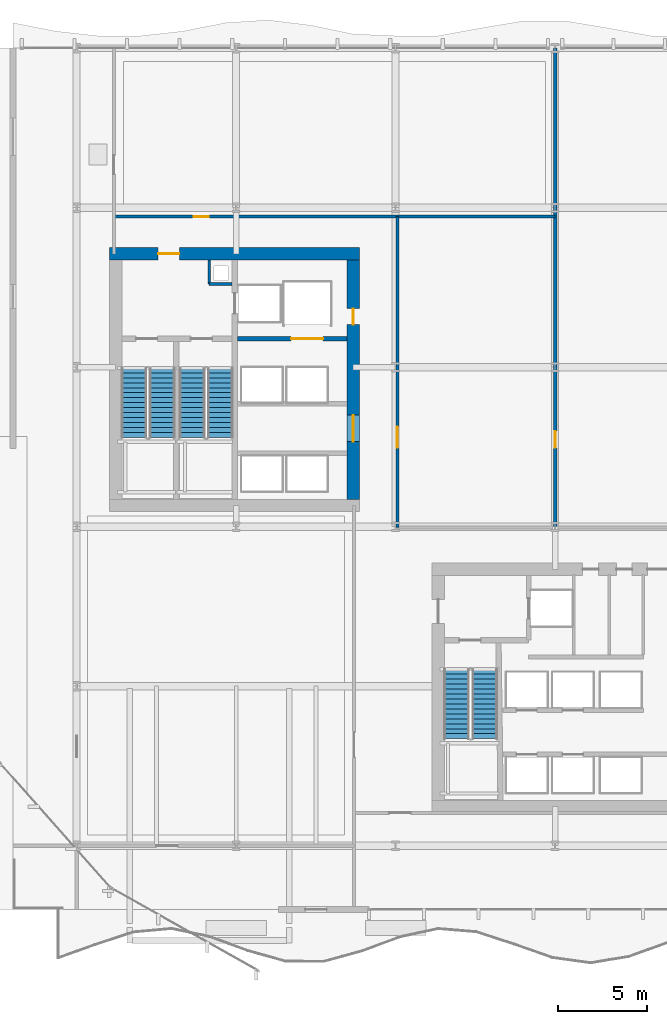
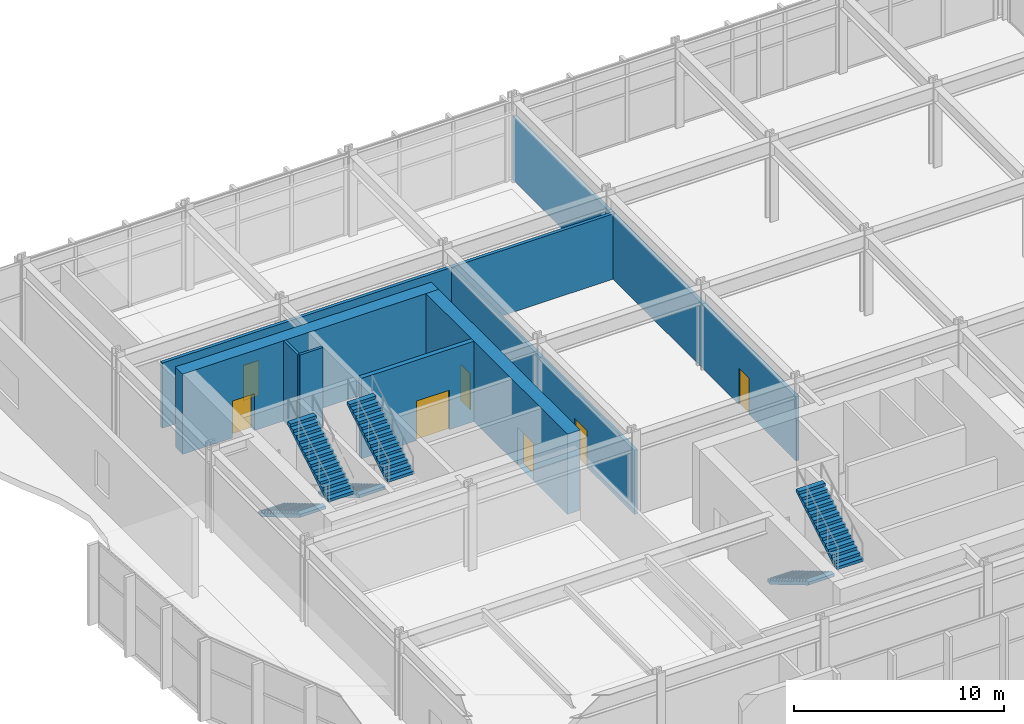
# One storey, part 21 of 28: 8 walls, 7 doors, 6 stair flights, 7 openings, 3 elements without a shape of their own.
"""IFC4 building model written with IfcOpenShell, lengths in metres."""

from ifc_helpers import new_model, si_unit, direction, frame, frame_2d, origin, place, context, subcontext, project, spatial, polyline, rectangle, outline, extrude, material, layer, layer_set, type_object, element, fill, aggregate, save


model = new_model("IFC4")

# Units and contexts
model_context = context("Model", 3, precision=1e-05, world=origin(), true_north=direction((0.0, 1.0)))
body_context = subcontext(model_context, "Body", "Model", "MODEL_VIEW")
ifc_project = project(units=[si_unit("LENGTHUNIT", "METRE"), si_unit("AREAUNIT", "SQUARE_METRE"), si_unit("VOLUMEUNIT", "CUBIC_METRE"), si_unit("PLANEANGLEUNIT", "RADIAN"), si_unit("MASSUNIT", "GRAM", prefix="KILO")], contexts=[model_context])

# Site, building, storey
site_placement = place(None, origin())
site = spatial("IfcSite", under=ifc_project, at=site_placement, CompositionType="ELEMENT")
building_placement = place(site_placement, origin())
building = spatial("IfcBuilding", under=site, at=building_placement, Name="Solvaryn Broadcast Tower", CompositionType="ELEMENT")
storey_placement = place(building_placement, frame((0.0, 0.0, 16.199951171875)))
storey = spatial("IfcBuildingStorey", under=building, at=storey_placement, Name="L03", CompositionType="ELEMENT", Elevation=16.199951171875)

# Wall, opening, door
ifc_material_1 = material(Name="Concrete f'c 70 MPa", Category="concrete")
ifc_layer_1 = layer(ifc_material_1, 0.699951171875)
ifc_layer_set_1 = layer_set([ifc_layer_1], Name="CW-SHEAR-700")
wall_type_1 = type_object("IfcWallType", Name="CW-SHEAR-700", PredefinedType="SHEAR", material=ifc_layer_set_1)
wall_1_placement = place(storey_placement, frame((24.949951171875, 42.39990234375, 0.0), z_axis=(0.0, 0.0, 1.0), x_axis=(-1.0, 0.0, 0.0)))
wall_1 = element("IfcWall", 1, at=wall_1_placement, inside=storey, type_object=wall_type_1, Name="L03 West Core North Shear Wall", PredefinedType="SHEAR", context=body_context, shape_type="SweptSolid", body=[
    extrude(rectangle(XDim=14.099853515625, YDim=0.699951171875, at=frame_2d((7.0498046875, 0.0))), origin(), (0.0, 0.0, 1.0), 4.679931640625),
])
opening_1_placement = place(wall_1_placement, frame((10.14990234375, 0.0, 0.0)))
opening_1 = element("IfcOpeningElement", 2, at=opening_1_placement, cuts=wall_1, Name="Opening FD90A", PredefinedType="OPENING", context=body_context, shape_type="SweptSolid", body=[
    extrude(rectangle(XDim=1.199951171875, YDim=2.14990234375, at=frame_2d((0.60009765625, 1.074951171875))), frame((0.0, 0.360107421875, 0.0), z_axis=(0.0, -1.0, 0.0), x_axis=(1.0, 0.0, 0.0)), (0.0, 0.0, 1.0), 0.719970703125),
])
ifc_material_2 = material(Name="Flush Acoustic Steel and Timber Door Assembly", Category="steel")
door_type_1 = type_object("IfcDoorType", Name="FD90-STAIR-1200X2150", OperationType="NOTDEFINED", PredefinedType="DOOR", material=ifc_material_2)
door_1_placement = place(opening_1_placement, origin())
door_1 = element("IfcDoor", 3, at=door_1_placement, inside=storey, type_object=door_type_1, Name="L03 West FSAE Lobby Corridor Door", OperationType="SINGLE_SWING_LEFT", OverallHeight=2.14990234375, OverallWidth=1.199951171875, PredefinedType="DOOR", context=body_context, shape_type="SweptSolid", body=[
    extrude(rectangle(XDim=1.199951171875, YDim=2.14990234375, at=frame_2d((0.60009765625, 1.074951171875))), frame((0.0, 0.02490234375, 0.0), z_axis=(0.0, -1.0, 0.0), x_axis=(1.0, 0.0, 0.0)), (0.0, 0.0, 1.0), 0.050048828125),
])
fill(opening_1, door_1)

# Wall, openings, doors
wall_2_placement = place(storey_placement, frame((24.60009765625, 28.550048828125, 0.0), z_axis=(0.0, 0.0, 1.0), x_axis=(0.0, 1.0, 0.0)))
wall_2 = element("IfcWall", 4, at=wall_2_placement, inside=storey, type_object=wall_type_1, Name="L03 West Core East Shear Wall", PredefinedType="SHEAR", context=body_context, shape_type="SweptSolid", body=[
    extrude(rectangle(XDim=13.5, YDim=0.699951171875, at=frame_2d((6.75, 0.0))), origin(), (0.0, 0.0, 1.0), 4.679931640625),
])
opening_2_placement = place(wall_2_placement, frame((3.25, 0.0, 0.0)))
opening_2 = element("IfcOpeningElement", 5, at=opening_2_placement, cuts=wall_2, Name="Opening FD60A", PredefinedType="OPENING", context=body_context, shape_type="SweptSolid", body=[
    extrude(rectangle(XDim=1.5, YDim=2.199951171875, at=frame_2d((0.75, 1.10009765625))), frame((0.0, 0.360107421875, 0.0), z_axis=(0.0, -1.0, 0.0), x_axis=(1.0, 0.0, 0.0)), (0.0, 0.0, 1.0), 0.719970703125),
])
opening_3_placement = place(wall_2_placement, frame((9.85009765625, 0.0, 0.0)))
opening_3 = element("IfcOpeningElement", 6, at=opening_3_placement, cuts=wall_2, Name="Opening FD60C", PredefinedType="OPENING", context=body_context, shape_type="SweptSolid", body=[
    extrude(rectangle(XDim=0.89990234375, YDim=2.10009765625, at=frame_2d((0.449951171875, 1.050048828125))), frame((0.0, 0.360107421875, 0.0), z_axis=(0.0, -1.0, 0.0), x_axis=(1.0, 0.0, 0.0)), (0.0, 0.0, 1.0), 0.719970703125),
])
ifc_material_3 = material(Name="Flush Acoustic Steel and Timber Door Assembly", Category="steel")
door_type_2 = type_object("IfcDoorType", Name="FD60-CORR-1500X2200", OperationType="NOTDEFINED", PredefinedType="DOOR", material=ifc_material_3)
door_2_placement = place(opening_2_placement, origin())
door_2 = element("IfcDoor", 7, at=door_2_placement, inside=storey, type_object=door_type_2, Name="L03 West Elevator Lobby Corridor Door", OperationType="DOUBLE_DOOR_SINGLE_SWING", OverallHeight=2.199951171875, OverallWidth=1.5, PredefinedType="DOOR", context=body_context, shape_type="SweptSolid", body=[
    extrude(rectangle(XDim=1.5, YDim=2.199951171875, at=frame_2d((0.75, 1.10009765625))), frame((0.0, 0.02490234375, 0.0), z_axis=(0.0, -1.0, 0.0), x_axis=(1.0, 0.0, 0.0)), (0.0, 0.0, 1.0), 0.050048828125),
])
fill(opening_2, door_2)
ifc_material_4 = material(Name="Flush Acoustic Steel and Timber Door Assembly", Category="steel")
door_type_3 = type_object("IfcDoorType", Name="FD60-SERV-900X2100", OperationType="NOTDEFINED", PredefinedType="DOOR", material=ifc_material_4)
door_3_placement = place(opening_3_placement, origin())
door_3 = element("IfcDoor", 8, at=door_3_placement, inside=storey, type_object=door_type_3, Name="L03 West Core Service Door 1", OperationType="SINGLE_SWING_LEFT", OverallHeight=2.10009765625, OverallWidth=0.89990234375, PredefinedType="DOOR", context=body_context, shape_type="SweptSolid", body=[
    extrude(rectangle(XDim=0.89990234375, YDim=2.10009765625, at=frame_2d((0.449951171875, 1.050048828125))), frame((0.0, 0.02490234375, 0.0), z_axis=(0.0, -1.0, 0.0), x_axis=(1.0, 0.0, 0.0)), (0.0, 0.0, 1.0), 0.050048828125),
])
fill(opening_3, door_3)

# Walls
ifc_material_5 = material(Name="Metal-Stud Service Core Partition")
ifc_layer_2 = layer(ifc_material_5, 0.14990234375)
ifc_layer_set_2 = layer_set([ifc_layer_2], Name="IW-PART-150")
wall_type_2 = type_object("IfcWallType", Name="IW-PART-150", PredefinedType="PARTITIONING", material=ifc_layer_set_2)
wall_3_placement = place(storey_placement, frame((16.47998046875, 40.699951171875, 0.0), z_axis=(0.0, 0.0, 1.0), x_axis=(1.0, 0.0, 0.0)))
element("IfcWall", 9, at=wall_3_placement, inside=storey, type_object=wall_type_2, Name="L03 West Core Riser Shaft South Wall", PredefinedType="PARTITIONING", context=body_context, shape_type="SweptSolid", body=[
    extrude(rectangle(XDim=1.2900390625, YDim=0.14990234375, at=frame_2d((0.64501953125, 0.0))), origin(), (0.0, 0.0, 1.0), 4.679931640625),
])
wall_4_placement = place(storey_placement, frame((16.47998046875, 40.699951171875, 0.0), z_axis=(0.0, 0.0, 1.0), x_axis=(0.0, 1.0, 0.0)))
element("IfcWall", 10, at=wall_4_placement, inside=storey, type_object=wall_type_2, Name="L03 West Core Riser Shaft West Wall", PredefinedType="PARTITIONING", context=body_context, shape_type="SweptSolid", body=[
    extrude(rectangle(XDim=1.35009765625, YDim=0.14990234375, at=frame_2d((0.675048828125, 0.0))), origin(), (0.0, 0.0, 1.0), 4.679931640625),
])

# Wall, opening, door
ifc_material_6 = material(Name="Acoustic Metal-Stud Gypsum Partition")
ifc_layer_3 = layer(ifc_material_6, 0.179931640625)
ifc_layer_set_3 = layer_set([ifc_layer_3], Name="IW-PART-180")
wall_type_3 = type_object("IfcWallType", Name="IW-PART-180", PredefinedType="PARTITIONING", material=ifc_layer_set_3)
wall_5_placement = place(storey_placement, frame((27.10009765625, 26.949951171875, 0.0), z_axis=(0.0, 0.0, 1.0), x_axis=(0.0, 1.0, 0.0)))
wall_5 = element("IfcWall", 11, at=wall_5_placement, inside=storey, type_object=wall_type_3, Name="L03 Interior Partition IW-L03-PW6", PredefinedType="PARTITIONING", context=body_context, shape_type="SweptSolid", body=[
    extrude(rectangle(XDim=17.550048828125, YDim=0.179931640625, at=frame_2d((8.77490234375, 0.0))), origin(), (0.0, 0.0, 1.0), 3.733154296875),
])
opening_4_placement = place(wall_5_placement, frame((4.5, 0.0, 0.0)))
opening_4 = element("IfcOpeningElement", 12, at=opening_4_placement, cuts=wall_5, Name="Opening ID04", PredefinedType="OPENING", context=body_context, shape_type="SweptSolid", body=[
    extrude(rectangle(XDim=1.199951171875, YDim=2.14990234375, at=frame_2d((0.60009765625, 1.074951171875))), frame((0.0, 0.099853515625, 0.0), z_axis=(0.0, -1.0, 0.0), x_axis=(1.0, 0.0, 0.0)), (0.0, 0.0, 1.0), 0.199951171875),
])
ifc_material_7 = material(Name="Flush Acoustic Steel and Timber Door Assembly", Category="steel")
door_type_4 = type_object("IfcDoorType", Name="ID-04-1200X2150", OperationType="NOTDEFINED", PredefinedType="DOOR", material=ifc_material_7)
door_4_placement = place(opening_4_placement, origin())
door_4 = element("IfcDoor", 13, at=door_4_placement, inside=storey, type_object=door_type_4, Name="L03 Door DR-L03-PD4", OperationType="SINGLE_SWING_RIGHT", OverallHeight=2.14990234375, OverallWidth=1.199951171875, PredefinedType="DOOR", context=body_context, shape_type="SweptSolid", body=[
    extrude(rectangle(XDim=1.199951171875, YDim=2.14990234375, at=frame_2d((0.60009765625, 1.074951171875))), frame((0.0, 0.02490234375, 0.0), z_axis=(0.0, -1.0, 0.0), x_axis=(1.0, 0.0, 0.0)), (0.0, 0.0, 1.0), 0.050048828125),
])
fill(opening_4, door_4)

wall_6_placement = place(storey_placement, frame((11.10009765625, 44.5, 0.0), z_axis=(0.0, 0.0, 1.0), x_axis=(1.0, 0.0, 0.0)))
wall_6 = element("IfcWall", 14, at=wall_6_placement, inside=storey, type_object=wall_type_3, Name="L03 Interior Partition IW-L03-PW7", PredefinedType="PARTITIONING", context=body_context, shape_type="SweptSolid", body=[
    extrude(rectangle(XDim=24.89990234375, YDim=0.179931640625, at=frame_2d((12.449951171875, 0.0))), origin(), (0.0, 0.0, 1.0), 3.804931640625),
])
opening_5_placement = place(wall_6_placement, frame((4.5, 0.0, 0.0)))
opening_5 = element("IfcOpeningElement", 15, at=opening_5_placement, cuts=wall_6, Name="Opening ID07", PredefinedType="OPENING", context=body_context, shape_type="SweptSolid", body=[
    extrude(rectangle(XDim=0.860107421875, YDim=2.050048828125, at=frame_2d((0.43017578125, 1.02490234375))), frame((0.0, 0.099853515625, 0.0), z_axis=(0.0, -1.0, 0.0), x_axis=(1.0, 0.0, 0.0)), (0.0, 0.0, 1.0), 0.199951171875),
])
ifc_material_8 = material(Name="Flush Acoustic Steel and Timber Door Assembly", Category="steel")
door_type_5 = type_object("IfcDoorType", Name="ID-07-860X2050", OperationType="NOTDEFINED", PredefinedType="DOOR", material=ifc_material_8)
door_5_placement = place(opening_5_placement, origin())
door_5 = element("IfcDoor", 16, at=door_5_placement, inside=storey, type_object=door_type_5, Name="L03 Door DR-L03-PD5", OperationType="SINGLE_SWING_LEFT", OverallHeight=2.050048828125, OverallWidth=0.860107421875, PredefinedType="DOOR", context=body_context, shape_type="SweptSolid", body=[
    extrude(rectangle(XDim=0.860107421875, YDim=2.050048828125, at=frame_2d((0.43017578125, 1.02490234375))), frame((0.0, 0.02490234375, 0.0), z_axis=(0.0, -1.0, 0.0), x_axis=(1.0, 0.0, 0.0)), (0.0, 0.0, 1.0), 0.050048828125),
])
fill(opening_5, door_5)

wall_7_placement = place(storey_placement, frame((36.0, 26.949951171875, 0.0), z_axis=(0.0, 0.0, 1.0), x_axis=(0.0, 1.0, 0.0)))
wall_7 = element("IfcWall", 17, at=wall_7_placement, inside=storey, type_object=wall_type_3, Name="L03 Interior Partition IW-L03-PW8", PredefinedType="PARTITIONING", context=body_context, shape_type="SweptSolid", body=[
    extrude(rectangle(XDim=27.050048828125, YDim=0.179931640625, at=frame_2d((13.52490234375, 0.0))), origin(), (0.0, 0.0, 1.0), 3.733154296875),
])
opening_6_placement = place(wall_7_placement, frame((4.5, 0.0, 0.0)))
opening_6 = element("IfcOpeningElement", 18, at=opening_6_placement, cuts=wall_7, Name="Opening ID01", PredefinedType="OPENING", context=body_context, shape_type="SweptSolid", body=[
    extrude(rectangle(XDim=0.949951171875, YDim=2.10009765625, at=frame_2d((0.47509765625, 1.050048828125))), frame((0.0, 0.099853515625, 0.0), z_axis=(0.0, -1.0, 0.0), x_axis=(1.0, 0.0, 0.0)), (0.0, 0.0, 1.0), 0.199951171875),
])
ifc_material_9 = material(Name="Flush Acoustic Steel and Timber Door Assembly", Category="steel")
door_type_6 = type_object("IfcDoorType", Name="ID-01-950X2100", OperationType="NOTDEFINED", PredefinedType="DOOR", material=ifc_material_9)
door_6_placement = place(opening_6_placement, origin())
door_6 = element("IfcDoor", 19, at=door_6_placement, inside=storey, type_object=door_type_6, Name="L03 Door DR-L03-PD6", OperationType="SINGLE_SWING_RIGHT", OverallHeight=2.10009765625, OverallWidth=0.949951171875, PredefinedType="DOOR", context=body_context, shape_type="SweptSolid", body=[
    extrude(rectangle(XDim=0.949951171875, YDim=2.10009765625, at=frame_2d((0.47509765625, 1.050048828125))), frame((0.0, 0.02490234375, 0.0), z_axis=(0.0, -1.0, 0.0), x_axis=(1.0, 0.0, 0.0)), (0.0, 0.0, 1.0), 0.050048828125),
])
fill(opening_6, door_6)

ifc_material_10 = material(Name="Concrete f'c 60 MPa", Category="concrete")
ifc_layer_4 = layer(ifc_material_10, 0.25)
ifc_layer_set_4 = layer_set([ifc_layer_4], Name="SW-SHAFT-250")
wall_type_4 = type_object("IfcWallType", Name="SW-SHAFT-250", PredefinedType="PARTITIONING", material=ifc_layer_set_4)
wall_8_placement = place(storey_placement, frame((18.070068359375, 37.60009765625, 0.0), z_axis=(0.0, 0.0, 1.0), x_axis=(1.0, 0.0, 0.0)))
wall_8 = element("IfcWall", 20, at=wall_8_placement, inside=storey, type_object=wall_type_4, Name="L03 West Core FSAE Hoistway Front Wall", PredefinedType="PARTITIONING", context=body_context, shape_type="SweptSolid", body=[
    extrude(rectangle(XDim=6.179931640625, YDim=0.25, at=frame_2d((3.08984375, 0.0))), origin(), (0.0, 0.0, 1.0), 4.679931640625),
])
opening_7_placement = place(wall_8_placement, frame((3.030029296875, 0.0, 0.0)))
opening_7 = element("IfcOpeningElement", 21, at=opening_7_placement, cuts=wall_8, Name="Opening LD02", PredefinedType="OPENING", context=body_context, shape_type="SweptSolid", body=[
    extrude(rectangle(XDim=1.800048828125, YDim=2.300048828125, at=frame_2d((0.89990234375, 1.14990234375))), frame((0.0, 0.135009765625, 0.0), z_axis=(0.0, -1.0, 0.0), x_axis=(1.0, 0.0, 0.0)), (0.0, 0.0, 1.0), 0.27001953125),
])
ifc_material_11 = material(Name="Flush Acoustic Steel and Timber Door Assembly", Category="steel")
door_type_7 = type_object("IfcDoorType", Name="LD-FREIGHT-1800X2300", OperationType="NOTDEFINED", PredefinedType="DOOR", material=ifc_material_11)
door_7_placement = place(opening_7_placement, origin())
door_7 = element("IfcDoor", 22, at=door_7_placement, inside=storey, type_object=door_type_7, Name="L03 SV1 Freight Lift Landing Door", OperationType="DOUBLE_DOOR_SLIDING", OverallHeight=2.300048828125, OverallWidth=1.800048828125, PredefinedType="DOOR", context=body_context, shape_type="SweptSolid", body=[
    extrude(rectangle(XDim=1.800048828125, YDim=2.300048828125, at=frame_2d((0.89990234375, 1.14990234375))), frame((0.0, 0.02490234375, 0.0), z_axis=(0.0, -1.0, 0.0), x_axis=(1.0, 0.0, 0.0)), (0.0, 0.0, 1.0), 0.050048828125),
])
fill(opening_7, door_7)

# Stair, stair flights
ifc_material_12 = material(Name="Concrete f'c 60 MPa", Category="concrete")
stair_type = type_object("IfcStairType", Name="ST-CORE", PredefinedType="HALF_TURN_STAIR", material=ifc_material_12)
stair_1_placement = place(storey_placement, origin())
stair_1 = element("IfcStair", 23, at=stair_1_placement, inside=storey, type_object=stair_type, Name="L03 ST1", PredefinedType="HALF_TURN_STAIR")
ifc_material_13 = material(Name="Concrete f'c 60 MPa", Category="concrete")
ifc_layer_5 = layer(ifc_material_13, 0.159912109375)
ifc_layer_set_5 = layer_set([ifc_layer_5], Name="SF-CORE")
stair_flight_type = type_object("IfcStairFlightType", Name="SF-CORE", PredefinedType="STRAIGHT", material=ifc_layer_set_5)
stair_flight_1_placement = place(storey_placement, frame((12.239990234375, 35.9599609375, 0.0), z_axis=(0.0, 0.0, 1.0), x_axis=(0.0, -1.0, 0.0)))
stair_flight_1 = element("IfcStairFlight", 24, at=stair_flight_1_placement, type_object=stair_flight_type, Name="ST1 flight 1", NumberOfRisers=15, NumberOfTreads=14, PredefinedType="STRAIGHT", RiserHeight=0.166666667, TreadLength=0.28, context=body_context, shape_type="SweptSolid", body=[
    extrude(outline(polyline([(0.0, 0.0), (0.0, 0.166748046875), (0.280029296875, 0.166748046875), (0.280029296875, 0.333251953125), (0.56005859375, 0.333251953125), (0.56005859375, 0.5), (0.840087890625, 0.5), (0.840087890625, 0.666748046875), (1.1201171875, 0.666748046875), (1.1201171875, 0.833251953125), (1.39990234375, 0.833251953125), (1.39990234375, 1.0), (1.679931640625, 1.0), (1.679931640625, 1.166748046875), (1.9599609375, 1.166748046875), (1.9599609375, 1.333251953125), (2.239990234375, 1.333251953125), (2.239990234375, 1.5), (2.52001953125, 1.5), (2.52001953125, 1.666748046875), (2.800048828125, 1.666748046875), (2.800048828125, 1.833251953125), (3.080078125, 1.833251953125), (3.080078125, 2.0), (3.360107421875, 2.0), (3.360107421875, 2.166748046875), (3.639892578125, 2.166748046875), (3.639892578125, 2.333251953125), (3.919921875, 2.333251953125), (3.919921875, 2.5), (3.919921875, 2.158935546875), (0.29296875, 0.0), (0.0, 0.0)])), frame((0.0, 0.719970703125, 0.0), z_axis=(0.0, -1.0, 0.0), x_axis=(1.0, 0.0, 0.0)), (0.0, 0.0, 1.0), 1.43994140625),
])
stair_flight_2_placement = place(storey_placement, frame((13.830078125, 32.0400390625, 2.5), z_axis=(0.0, 0.0, 1.0), x_axis=(0.0, 1.0, 0.0)))
stair_flight_2 = element("IfcStairFlight", 25, at=stair_flight_2_placement, type_object=stair_flight_type, Name="ST1 flight 2", NumberOfRisers=15, NumberOfTreads=14, PredefinedType="STRAIGHT", RiserHeight=0.166666667, TreadLength=0.28, context=body_context, shape_type="SweptSolid", body=[
    extrude(outline(polyline([(0.0, 0.0), (0.0, 0.166748046875), (0.280029296875, 0.166748046875), (0.280029296875, 0.333251953125), (0.56005859375, 0.333251953125), (0.56005859375, 0.5), (0.840087890625, 0.5), (0.840087890625, 0.666748046875), (1.1201171875, 0.666748046875), (1.1201171875, 0.833251953125), (1.39990234375, 0.833251953125), (1.39990234375, 1.0), (1.679931640625, 1.0), (1.679931640625, 1.166748046875), (1.9599609375, 1.166748046875), (1.9599609375, 1.333251953125), (2.239990234375, 1.333251953125), (2.239990234375, 1.5), (2.52001953125, 1.5), (2.52001953125, 1.666748046875), (2.800048828125, 1.666748046875), (2.800048828125, 1.833251953125), (3.080078125, 1.833251953125), (3.080078125, 2.0), (3.360107421875, 2.0), (3.360107421875, 2.166748046875), (3.639892578125, 2.166748046875), (3.639892578125, 2.333251953125), (3.919921875, 2.333251953125), (3.919921875, 2.5), (3.919921875, 2.158935546875), (0.29296875, 0.0), (0.0, 0.0)])), frame((0.0, 0.719970703125, 0.0), z_axis=(0.0, -1.0, 0.0), x_axis=(1.0, 0.0, 0.0)), (0.0, 0.0, 1.0), 1.43994140625),
])
aggregate(stair_1, [stair_flight_1, stair_flight_2])

stair_2_placement = place(storey_placement, origin())
stair_2 = element("IfcStair", 26, at=stair_2_placement, inside=storey, type_object=stair_type, Name="L03 ST2", PredefinedType="HALF_TURN_STAIR")
stair_flight_3_placement = place(storey_placement, frame((15.52001953125, 35.9599609375, 0.0), z_axis=(0.0, 0.0, 1.0), x_axis=(0.0, -1.0, 0.0)))
stair_flight_3 = element("IfcStairFlight", 27, at=stair_flight_3_placement, type_object=stair_flight_type, Name="ST2 flight 1", NumberOfRisers=15, NumberOfTreads=14, PredefinedType="STRAIGHT", RiserHeight=0.166666667, TreadLength=0.28, context=body_context, shape_type="SweptSolid", body=[
    extrude(outline(polyline([(0.0, 0.0), (0.0, 0.166748046875), (0.280029296875, 0.166748046875), (0.280029296875, 0.333251953125), (0.56005859375, 0.333251953125), (0.56005859375, 0.5), (0.840087890625, 0.5), (0.840087890625, 0.666748046875), (1.1201171875, 0.666748046875), (1.1201171875, 0.833251953125), (1.39990234375, 0.833251953125), (1.39990234375, 1.0), (1.679931640625, 1.0), (1.679931640625, 1.166748046875), (1.9599609375, 1.166748046875), (1.9599609375, 1.333251953125), (2.239990234375, 1.333251953125), (2.239990234375, 1.5), (2.52001953125, 1.5), (2.52001953125, 1.666748046875), (2.800048828125, 1.666748046875), (2.800048828125, 1.833251953125), (3.080078125, 1.833251953125), (3.080078125, 2.0), (3.360107421875, 2.0), (3.360107421875, 2.166748046875), (3.639892578125, 2.166748046875), (3.639892578125, 2.333251953125), (3.919921875, 2.333251953125), (3.919921875, 2.5), (3.919921875, 2.158935546875), (0.29296875, 0.0), (0.0, 0.0)])), frame((0.0, 0.719970703125, 0.0), z_axis=(0.0, -1.0, 0.0), x_axis=(1.0, 0.0, 0.0)), (0.0, 0.0, 1.0), 1.43994140625),
])
stair_flight_4_placement = place(storey_placement, frame((17.110107421875, 32.0400390625, 2.5), z_axis=(0.0, 0.0, 1.0), x_axis=(0.0, 1.0, 0.0)))
stair_flight_4 = element("IfcStairFlight", 28, at=stair_flight_4_placement, type_object=stair_flight_type, Name="ST2 flight 2", NumberOfRisers=15, NumberOfTreads=14, PredefinedType="STRAIGHT", RiserHeight=0.166666667, TreadLength=0.28, context=body_context, shape_type="SweptSolid", body=[
    extrude(outline(polyline([(0.0, 0.0), (0.0, 0.166748046875), (0.280029296875, 0.166748046875), (0.280029296875, 0.333251953125), (0.56005859375, 0.333251953125), (0.56005859375, 0.5), (0.840087890625, 0.5), (0.840087890625, 0.666748046875), (1.1201171875, 0.666748046875), (1.1201171875, 0.833251953125), (1.39990234375, 0.833251953125), (1.39990234375, 1.0), (1.679931640625, 1.0), (1.679931640625, 1.166748046875), (1.9599609375, 1.166748046875), (1.9599609375, 1.333251953125), (2.239990234375, 1.333251953125), (2.239990234375, 1.5), (2.52001953125, 1.5), (2.52001953125, 1.666748046875), (2.800048828125, 1.666748046875), (2.800048828125, 1.833251953125), (3.080078125, 1.833251953125), (3.080078125, 2.0), (3.360107421875, 2.0), (3.360107421875, 2.166748046875), (3.639892578125, 2.166748046875), (3.639892578125, 2.333251953125), (3.919921875, 2.333251953125), (3.919921875, 2.5), (3.919921875, 2.158935546875), (0.29296875, 0.0), (0.0, 0.0)])), frame((0.0, 0.719970703125, 0.0), z_axis=(0.0, -1.0, 0.0), x_axis=(1.0, 0.0, 0.0)), (0.0, 0.0, 1.0), 1.43994140625),
])
aggregate(stair_2, [stair_flight_3, stair_flight_4])

stair_3_placement = place(storey_placement, origin())
stair_3 = element("IfcStair", 29, at=stair_3_placement, inside=storey, type_object=stair_type, Name="L03 ST3", PredefinedType="HALF_TURN_STAIR")
stair_flight_5_placement = place(storey_placement, frame((30.43994140625, 18.9599609375, 0.0), z_axis=(0.0, 0.0, 1.0), x_axis=(0.0, -1.0, 0.0)))
stair_flight_5 = element("IfcStairFlight", 30, at=stair_flight_5_placement, type_object=stair_flight_type, Name="ST3 flight 1", NumberOfRisers=15, NumberOfTreads=14, PredefinedType="STRAIGHT", RiserHeight=0.166666667, TreadLength=0.28, context=body_context, shape_type="SweptSolid", body=[
    extrude(outline(polyline([(0.0, 0.0), (0.0, 0.166748046875), (0.280029296875, 0.166748046875), (0.280029296875, 0.333251953125), (0.56005859375, 0.333251953125), (0.56005859375, 0.5), (0.840087890625, 0.5), (0.840087890625, 0.666748046875), (1.1201171875, 0.666748046875), (1.1201171875, 0.833251953125), (1.39990234375, 0.833251953125), (1.39990234375, 1.0), (1.679931640625, 1.0), (1.679931640625, 1.166748046875), (1.9599609375, 1.166748046875), (1.9599609375, 1.333251953125), (2.239990234375, 1.333251953125), (2.239990234375, 1.5), (2.52001953125, 1.5), (2.52001953125, 1.666748046875), (2.800048828125, 1.666748046875), (2.800048828125, 1.833251953125), (3.080078125, 1.833251953125), (3.080078125, 2.0), (3.360107421875, 2.0), (3.360107421875, 2.166748046875), (3.639892578125, 2.166748046875), (3.639892578125, 2.333251953125), (3.919921875, 2.333251953125), (3.919921875, 2.5), (3.919921875, 2.158935546875), (0.29296875, 0.0), (0.0, 0.0)])), frame((0.0, 0.719970703125, 0.0), z_axis=(0.0, -1.0, 0.0), x_axis=(1.0, 0.0, 0.0)), (0.0, 0.0, 1.0), 1.43994140625),
])
stair_flight_6_placement = place(storey_placement, frame((32.030029296875, 15.0400390625, 2.5), z_axis=(0.0, 0.0, 1.0), x_axis=(0.0, 1.0, 0.0)))
stair_flight_6 = element("IfcStairFlight", 31, at=stair_flight_6_placement, type_object=stair_flight_type, Name="ST3 flight 2", NumberOfRisers=15, NumberOfTreads=14, PredefinedType="STRAIGHT", RiserHeight=0.166666667, TreadLength=0.28, context=body_context, shape_type="SweptSolid", body=[
    extrude(outline(polyline([(0.0, 0.0), (0.0, 0.166748046875), (0.280029296875, 0.166748046875), (0.280029296875, 0.333251953125), (0.56005859375, 0.333251953125), (0.56005859375, 0.5), (0.840087890625, 0.5), (0.840087890625, 0.666748046875), (1.1201171875, 0.666748046875), (1.1201171875, 0.833251953125), (1.39990234375, 0.833251953125), (1.39990234375, 1.0), (1.679931640625, 1.0), (1.679931640625, 1.166748046875), (1.9599609375, 1.166748046875), (1.9599609375, 1.333251953125), (2.239990234375, 1.333251953125), (2.239990234375, 1.5), (2.52001953125, 1.5), (2.52001953125, 1.666748046875), (2.800048828125, 1.666748046875), (2.800048828125, 1.833251953125), (3.080078125, 1.833251953125), (3.080078125, 2.0), (3.360107421875, 2.0), (3.360107421875, 2.166748046875), (3.639892578125, 2.166748046875), (3.639892578125, 2.333251953125), (3.919921875, 2.333251953125), (3.919921875, 2.5), (3.919921875, 2.158935546875), (0.29296875, 0.0), (0.0, 0.0)])), frame((0.0, 0.719970703125, 0.0), z_axis=(0.0, -1.0, 0.0), x_axis=(1.0, 0.0, 0.0)), (0.0, 0.0, 1.0), 1.43994140625),
])
aggregate(stair_3, [stair_flight_5, stair_flight_6])

save(model, "model.ifc")
